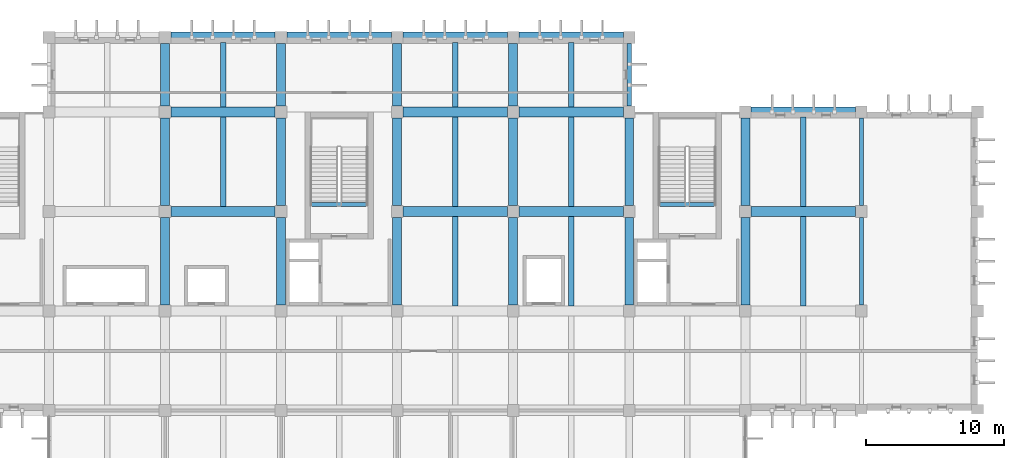
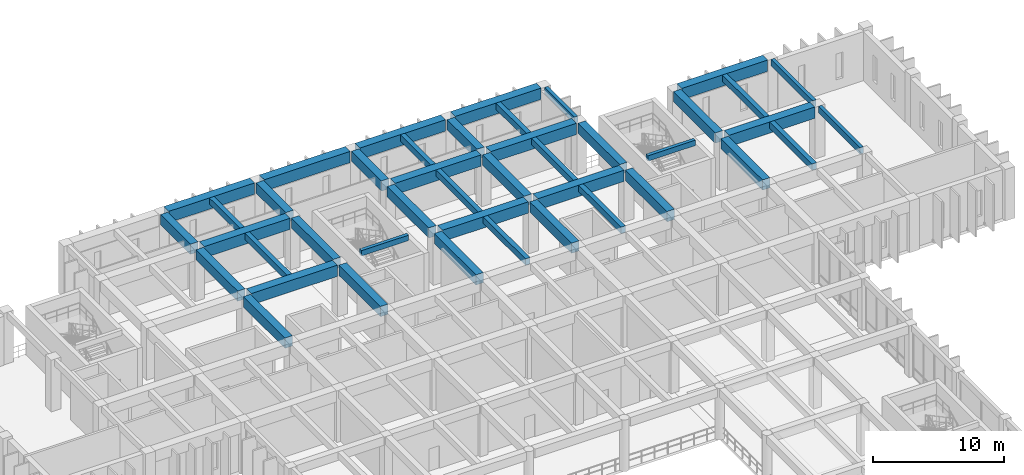
# One storey, part 22 of 51: 43 beams.
"""IFC4 building model written with IfcOpenShell, lengths in metres."""

from ifc_helpers import new_model, si_unit, direction, frame, origin, origin_2d, place, context, subcontext, project, spatial, rectangle, extrude, material, material_profile, profile_set, type_object, element, save


model = new_model("IFC4")

# Units and contexts
model_context = context("Model", 3, precision=1e-05, world=origin(), true_north=direction((0.0, 1.0)))
body_context = subcontext(model_context, "Body", "Model", "MODEL_VIEW")
ifc_project = project(units=[si_unit("LENGTHUNIT", "METRE"), si_unit("AREAUNIT", "SQUARE_METRE"), si_unit("VOLUMEUNIT", "CUBIC_METRE"), si_unit("PLANEANGLEUNIT", "RADIAN"), si_unit("MASSUNIT", "GRAM", prefix="KILO")], contexts=[model_context])

# Site, building, storey
site_placement = place(None, origin())
site = spatial("IfcSite", under=ifc_project, at=site_placement, CompositionType="ELEMENT")
building_placement = place(site_placement, origin())
building = spatial("IfcBuilding", under=site, at=building_placement, Name="Kenerak Square Central Library", CompositionType="ELEMENT")
storey_placement = place(building_placement, frame((0.0, 0.0, 9.60009765625)))
storey = spatial("IfcBuildingStorey", under=building, at=storey_placement, Name="L02", CompositionType="ELEMENT", Elevation=9.60009765625)

# Beams
ifc_material_1 = material(Name="Concrete C45/55", Category="concrete")
ifc_material_profile_1 = material_profile(ifc_material_1, rectangle(XDim=0.64990234375, YDim=0.949951171875, at=origin_2d()), Name="RC 650x950")
ifc_profile_set_1 = profile_set([ifc_material_profile_1], Name="Concrete C45/55")
beam_type_1 = type_object("IfcBeamType", Name="Book Stack Girder B-02 RC 650x950 C45/55", PredefinedType="BEAM", material=ifc_profile_set_1)
beam_1_placement = place(storey_placement, frame((75.199951171875, 96.425048828125, 4.324951171875), z_axis=(0.0, 1.0, 0.0), x_axis=(-1.0, 0.0, 0.0)))
element("IfcBeam", 1, at=beam_1_placement, inside=storey, type_object=beam_type_1, Name="Beam B-02 L02 1304", PredefinedType="BEAM", context=body_context, shape_type="SweptSolid", body=[
    extrude(rectangle(XDim=0.64990234375, YDim=0.949951171875, at=origin_2d()), origin(), (0.0, 0.0, 1.0), 6.349853515625),
])
beam_2_placement = place(storey_placement, frame((75.199951171875, 103.625, 4.324951171875), z_axis=(0.0, 1.0, 0.0), x_axis=(-1.0, 0.0, 0.0)))
element("IfcBeam", 2, at=beam_2_placement, inside=storey, type_object=beam_type_1, Name="Beam B-02 L02 1305", PredefinedType="BEAM", context=body_context, shape_type="SweptSolid", body=[
    extrude(rectangle(XDim=0.64990234375, YDim=0.949951171875, at=origin_2d()), origin(), (0.0, 0.0, 1.0), 6.35009765625),
])
beam_3_placement = place(storey_placement, frame((75.199951171875, 110.824951171875, 4.324951171875), z_axis=(0.0, 1.0, 0.0), x_axis=(-1.0, 0.0, 0.0)))
element("IfcBeam", 3, at=beam_3_placement, inside=storey, type_object=beam_type_1, Name="Beam B-02 L02 1306", PredefinedType="BEAM", context=body_context, shape_type="SweptSolid", body=[
    extrude(rectangle(XDim=0.64990234375, YDim=0.949951171875, at=origin_2d()), origin(), (0.0, 0.0, 1.0), 4.550048828125),
])
beam_4_placement = place(storey_placement, frame((83.60009765625, 96.425048828125, 4.324951171875), z_axis=(0.0, 1.0, 0.0), x_axis=(-1.0, 0.0, 0.0)))
element("IfcBeam", 4, at=beam_4_placement, inside=storey, type_object=beam_type_1, Name="Beam B-02 L02 1312", PredefinedType="BEAM", context=body_context, shape_type="SweptSolid", body=[
    extrude(rectangle(XDim=0.64990234375, YDim=0.949951171875, at=origin_2d()), origin(), (0.0, 0.0, 1.0), 6.349853515625),
])
beam_5_placement = place(storey_placement, frame((83.60009765625, 103.625, 4.324951171875), z_axis=(0.0, 1.0, 0.0), x_axis=(-1.0, 0.0, 0.0)))
element("IfcBeam", 5, at=beam_5_placement, inside=storey, type_object=beam_type_1, Name="Beam B-02 L02 1313", PredefinedType="BEAM", context=body_context, shape_type="SweptSolid", body=[
    extrude(rectangle(XDim=0.64990234375, YDim=0.949951171875, at=origin_2d()), origin(), (0.0, 0.0, 1.0), 6.35009765625),
])
beam_6_placement = place(storey_placement, frame((83.60009765625, 110.824951171875, 4.324951171875), z_axis=(0.0, 1.0, 0.0), x_axis=(-1.0, 0.0, 0.0)))
element("IfcBeam", 6, at=beam_6_placement, inside=storey, type_object=beam_type_1, Name="Beam B-02 L02 1314", PredefinedType="BEAM", context=body_context, shape_type="SweptSolid", body=[
    extrude(rectangle(XDim=0.64990234375, YDim=0.949951171875, at=origin_2d()), origin(), (0.0, 0.0, 1.0), 4.550048828125),
])
beam_7_placement = place(storey_placement, frame((92.0, 96.425048828125, 4.324951171875), z_axis=(0.0, 1.0, 0.0), x_axis=(-1.0, 0.0, 0.0)))
element("IfcBeam", 7, at=beam_7_placement, inside=storey, type_object=beam_type_1, Name="Beam B-02 L02 1320", PredefinedType="BEAM", context=body_context, shape_type="SweptSolid", body=[
    extrude(rectangle(XDim=0.64990234375, YDim=0.949951171875, at=origin_2d()), origin(), (0.0, 0.0, 1.0), 6.349853515625),
])
beam_8_placement = place(storey_placement, frame((92.0, 103.625, 4.324951171875), z_axis=(0.0, 1.0, 0.0), x_axis=(-1.0, 0.0, 0.0)))
element("IfcBeam", 8, at=beam_8_placement, inside=storey, type_object=beam_type_1, Name="Beam B-02 L02 1321", PredefinedType="BEAM", context=body_context, shape_type="SweptSolid", body=[
    extrude(rectangle(XDim=0.64990234375, YDim=0.949951171875, at=origin_2d()), origin(), (0.0, 0.0, 1.0), 6.35009765625),
])
beam_9_placement = place(storey_placement, frame((92.0, 110.824951171875, 4.324951171875), z_axis=(0.0, 1.0, 0.0), x_axis=(-1.0, 0.0, 0.0)))
element("IfcBeam", 9, at=beam_9_placement, inside=storey, type_object=beam_type_1, Name="Beam B-02 L02 1322", PredefinedType="BEAM", context=body_context, shape_type="SweptSolid", body=[
    extrude(rectangle(XDim=0.64990234375, YDim=0.949951171875, at=origin_2d()), origin(), (0.0, 0.0, 1.0), 4.550048828125),
])
beam_10_placement = place(storey_placement, frame((100.39990234375, 96.425048828125, 4.324951171875), z_axis=(0.0, 1.0, 0.0), x_axis=(-1.0, 0.0, 0.0)))
element("IfcBeam", 10, at=beam_10_placement, inside=storey, type_object=beam_type_1, Name="Beam B-02 L02 1330", PredefinedType="BEAM", context=body_context, shape_type="SweptSolid", body=[
    extrude(rectangle(XDim=0.64990234375, YDim=0.949951171875, at=origin_2d()), origin(), (0.0, 0.0, 1.0), 6.349853515625),
])
beam_11_placement = place(storey_placement, frame((100.39990234375, 103.625, 4.324951171875), z_axis=(0.0, 1.0, 0.0), x_axis=(-1.0, 0.0, 0.0)))
element("IfcBeam", 11, at=beam_11_placement, inside=storey, type_object=beam_type_1, Name="Beam B-02 L02 1331", PredefinedType="BEAM", context=body_context, shape_type="SweptSolid", body=[
    extrude(rectangle(XDim=0.64990234375, YDim=0.949951171875, at=origin_2d()), origin(), (0.0, 0.0, 1.0), 6.35009765625),
])
beam_12_placement = place(storey_placement, frame((100.39990234375, 110.824951171875, 4.324951171875), z_axis=(0.0, 1.0, 0.0), x_axis=(-1.0, 0.0, 0.0)))
element("IfcBeam", 12, at=beam_12_placement, inside=storey, type_object=beam_type_1, Name="Beam B-02 L02 1332", PredefinedType="BEAM", context=body_context, shape_type="SweptSolid", body=[
    extrude(rectangle(XDim=0.64990234375, YDim=0.949951171875, at=origin_2d()), origin(), (0.0, 0.0, 1.0), 4.550048828125),
])
beam_13_placement = place(storey_placement, frame((108.800048828125, 96.425048828125, 4.324951171875), z_axis=(0.0, 1.0, 0.0), x_axis=(-1.0, 0.0, 0.0)))
element("IfcBeam", 13, at=beam_13_placement, inside=storey, type_object=beam_type_1, Name="Beam B-02 L02 1340", PredefinedType="BEAM", context=body_context, shape_type="SweptSolid", body=[
    extrude(rectangle(XDim=0.64990234375, YDim=0.949951171875, at=origin_2d()), origin(), (0.0, 0.0, 1.0), 6.349853515625),
])
beam_14_placement = place(storey_placement, frame((108.800048828125, 103.625, 4.324951171875), z_axis=(0.0, 1.0, 0.0), x_axis=(-1.0, 0.0, 0.0)))
element("IfcBeam", 14, at=beam_14_placement, inside=storey, type_object=beam_type_1, Name="Beam B-02 L02 1341", PredefinedType="BEAM", context=body_context, shape_type="SweptSolid", body=[
    extrude(rectangle(XDim=0.64990234375, YDim=0.949951171875, at=origin_2d()), origin(), (0.0, 0.0, 1.0), 6.35009765625),
])
beam_15_placement = place(storey_placement, frame((117.199951171875, 96.425048828125, 4.324951171875), z_axis=(0.0, 1.0, 0.0), x_axis=(-1.0, 0.0, 0.0)))
element("IfcBeam", 15, at=beam_15_placement, inside=storey, type_object=beam_type_1, Name="Beam B-02 L02 1354", PredefinedType="BEAM", context=body_context, shape_type="SweptSolid", body=[
    extrude(rectangle(XDim=0.64990234375, YDim=0.949951171875, at=origin_2d()), origin(), (0.0, 0.0, 1.0), 6.349853515625),
])
beam_16_placement = place(storey_placement, frame((117.199951171875, 103.625, 4.324951171875), z_axis=(0.0, 1.0, 0.0), x_axis=(-1.0, 0.0, 0.0)))
element("IfcBeam", 16, at=beam_16_placement, inside=storey, type_object=beam_type_1, Name="Beam B-02 L02 1355", PredefinedType="BEAM", context=body_context, shape_type="SweptSolid", body=[
    extrude(rectangle(XDim=0.64990234375, YDim=0.949951171875, at=origin_2d()), origin(), (0.0, 0.0, 1.0), 6.35009765625),
])
ifc_material_profile_2 = material_profile(ifc_material_1, rectangle(XDim=0.75, YDim=1.050048828125, at=origin_2d()), Name="RC 750x1050")
ifc_profile_set_2 = profile_set([ifc_material_profile_2], Name="Concrete C45/55")
beam_type_2 = type_object("IfcBeamType", Name="Compact Stack Girder B-01 RC 750x1050 C45/55", PredefinedType="BEAM", material=ifc_profile_set_2)
for number, where, z_axis, x_axis, name in (
    (17, (75.625, 103.199951171875, 4.27490234375), (1.0, 0.0, 0.0), (0.0, 1.0, 0.0), "Beam B-01 L02 1259"),
    (18, (92.425048828125, 103.199951171875, 4.27490234375), (1.0, 0.0, 0.0), (0.0, 1.0, 0.0), "Beam B-01 L02 1260"),
    (19, (100.824951171875, 103.199951171875, 4.27490234375), (1.0, 0.0, 0.0), (0.0, 1.0, 0.0), "Beam B-01 L02 1261"),
    (20, (117.625, 103.199951171875, 4.27490234375), (1.0, 0.0, 0.0), (0.0, 1.0, 0.0), "Beam B-01 L02 1262"),
    (21, (75.625, 110.39990234375, 4.27490234375), (1.0, 0.0, 0.0), (0.0, 1.0, 0.0), "Beam B-01 L02 1264"),
    (22, (92.425048828125, 110.39990234375, 4.27490234375), (1.0, 0.0, 0.0), (0.0, 1.0, 0.0), "Beam B-01 L02 1265"),
    (23, (100.824951171875, 110.39990234375, 4.27490234375), (1.0, 0.0, 0.0), (0.0, 1.0, 0.0), "Beam B-01 L02 1266"),
    (24, (117.625, 110.39990234375, 4.27490234375), (1.0, 0.0, 0.0), (0.0, 1.0, 0.0), "Beam B-01 L02 1267"),
    (25, (75.625, 115.800048828125, 4.27490234375), (1.0, 0.0, 0.0), (0.0, 1.0, 0.0), "Beam B-01 L02 1269"),
    (26, (84.02490234375, 115.800048828125, 4.27490234375), (1.0, 0.0, 0.0), (0.0, 1.0, 0.0), "Beam B-01 L02 1270"),
    (27, (92.425048828125, 115.800048828125, 4.27490234375), (1.0, 0.0, 0.0), (0.0, 1.0, 0.0), "Beam B-01 L02 1271"),
    (28, (100.824951171875, 115.800048828125, 4.27490234375), (1.0, 0.0, 0.0), (0.0, 1.0, 0.0), "Beam B-01 L02 1272"),
):
    element("IfcBeam", number, at=place(storey_placement, frame(where, z_axis=z_axis, x_axis=x_axis)), inside=storey, type_object=beam_type_2, Name=name, PredefinedType="BEAM", context=body_context, shape_type="SweptSolid", body=[
        extrude(rectangle(XDim=0.75, YDim=1.050048828125, at=origin_2d()), origin(), (0.0, 0.0, 1.0), 7.550048828125),
    ])
ifc_material_2 = material(Name="Concrete C40/50", Category="concrete")
ifc_material_profile_3 = material_profile(ifc_material_2, rectangle(XDim=0.300048828125, YDim=0.60009765625, at=origin_2d()), Name="RC 300x600")
ifc_profile_set_3 = profile_set([ifc_material_profile_3], Name="Concrete C40/50")
beam_type_3 = type_object("IfcBeamType", Name="Courtyard Spandrel Beam SP-02 RC 300x600 C40/50", PredefinedType="SPANDREL", material=ifc_profile_set_3)
beam_17_placement = place(storey_placement, frame((108.800048828125, 110.824951171875, 4.5), z_axis=(0.0, 1.0, 0.0), x_axis=(-1.0, 0.0, 0.0)))
element("IfcBeam", 29, at=beam_17_placement, inside=storey, type_object=beam_type_3, Name="Beam SP-02 L02 1342", PredefinedType="SPANDREL", context=body_context, shape_type="SweptSolid", body=[
    extrude(rectangle(XDim=0.300048828125, YDim=0.60009765625, at=origin_2d()), origin(), (0.0, 0.0, 1.0), 4.550048828125),
])
beam_18_placement = place(storey_placement, frame((125.60009765625, 96.425048828125, 4.5), z_axis=(0.0, 1.0, 0.0), x_axis=(-1.0, 0.0, 0.0)))
element("IfcBeam", 30, at=beam_18_placement, inside=storey, type_object=beam_type_3, Name="Beam SP-02 L02 1360", PredefinedType="SPANDREL", context=body_context, shape_type="SweptSolid", body=[
    extrude(rectangle(XDim=0.300048828125, YDim=0.60009765625, at=origin_2d()), origin(), (0.0, 0.0, 1.0), 6.349853515625),
])
beam_19_placement = place(storey_placement, frame((125.60009765625, 103.625, 4.5), z_axis=(0.0, 1.0, 0.0), x_axis=(-1.0, 0.0, 0.0)))
element("IfcBeam", 31, at=beam_19_placement, inside=storey, type_object=beam_type_3, Name="Beam SP-02 L02 1361", PredefinedType="SPANDREL", context=body_context, shape_type="SweptSolid", body=[
    extrude(rectangle(XDim=0.300048828125, YDim=0.60009765625, at=origin_2d()), origin(), (0.0, 0.0, 1.0), 6.35009765625),
])
ifc_material_profile_4 = material_profile(ifc_material_2, rectangle(XDim=0.300048828125, YDim=0.5, at=origin_2d()), Name="RC 300x500")
ifc_profile_set_4 = profile_set([ifc_material_profile_4], Name="Concrete C40/50")
beam_type_4 = type_object("IfcBeamType", Name="Landing Support Beam B-08 RC 300x500 C40/50", PredefinedType="BEAM", material=ifc_profile_set_4)
beam_20_placement = place(storey_placement, frame((85.719970703125, 103.7099609375, 4.5498046875), z_axis=(1.0, 0.0, 0.0), x_axis=(0.0, 1.0, 0.0)))
element("IfcBeam", 32, at=beam_20_placement, inside=storey, type_object=beam_type_4, Name="Stair Threshold Beam B-08 ST-02 L03", PredefinedType="BEAM", context=body_context, shape_type="SweptSolid", body=[
    extrude(rectangle(XDim=0.300048828125, YDim=0.5, at=origin_2d()), origin(), (0.0, 0.0, 1.0), 4.159912109375),
])
beam_21_placement = place(storey_placement, frame((110.919921875, 103.7099609375, 4.5498046875), z_axis=(1.0, 0.0, 0.0), x_axis=(0.0, 1.0, 0.0)))
element("IfcBeam", 33, at=beam_21_placement, inside=storey, type_object=beam_type_4, Name="Stair Threshold Beam B-08 ST-03 L03", PredefinedType="BEAM", context=body_context, shape_type="SweptSolid", body=[
    extrude(rectangle(XDim=0.300048828125, YDim=0.5, at=origin_2d()), origin(), (0.0, 0.0, 1.0), 4.16015625),
])
ifc_material_profile_5 = material_profile(ifc_material_2, rectangle(XDim=0.39990234375, YDim=0.60009765625, at=origin_2d()), Name="RC 400x600")
ifc_profile_set_5 = profile_set([ifc_material_profile_5], Name="Concrete C40/50")
beam_type_5 = type_object("IfcBeamType", Name="Secondary Floor Joist J-01 RC 400x600 C40/50", PredefinedType="JOIST", material=ifc_profile_set_5)
beam_22_placement = place(storey_placement, frame((79.39990234375, 103.574951171875, 4.5), z_axis=(0.0, 1.0, 0.0), x_axis=(-1.0, 0.0, 0.0)))
element("IfcBeam", 34, at=beam_22_placement, inside=storey, type_object=beam_type_5, Name="Joist J-01 L02 1384", PredefinedType="JOIST", context=body_context, shape_type="SweptSolid", body=[
    extrude(rectangle(XDim=0.39990234375, YDim=0.60009765625, at=origin_2d()), origin(), (0.0, 0.0, 1.0), 6.449951171875),
])
beam_23_placement = place(storey_placement, frame((79.39990234375, 110.77490234375, 4.5), z_axis=(0.0, 1.0, 0.0), x_axis=(-1.0, 0.0, 0.0)))
element("IfcBeam", 35, at=beam_23_placement, inside=storey, type_object=beam_type_5, Name="Joist J-01 L02 1385", PredefinedType="JOIST", context=body_context, shape_type="SweptSolid", body=[
    extrude(rectangle(XDim=0.39990234375, YDim=0.60009765625, at=origin_2d()), origin(), (0.0, 0.0, 1.0), 4.650146484375),
])
for number, where, z_axis, x_axis, name in (
    (36, (96.199951171875, 96.375, 4.5), (0.0, 1.0, 0.0), (-1.0, 0.0, 0.0), "Joist J-01 L02 1396"),
    (37, (96.199951171875, 103.574951171875, 4.5), (0.0, 1.0, 0.0), (-1.0, 0.0, 0.0), "Joist J-01 L02 1397"),
):
    element("IfcBeam", number, at=place(storey_placement, frame(where, z_axis=z_axis, x_axis=x_axis)), inside=storey, type_object=beam_type_5, Name=name, PredefinedType="JOIST", context=body_context, shape_type="SweptSolid", body=[
        extrude(rectangle(XDim=0.39990234375, YDim=0.60009765625, at=origin_2d()), origin(), (0.0, 0.0, 1.0), 6.449951171875),
    ])
beam_24_placement = place(storey_placement, frame((96.199951171875, 110.77490234375, 4.5), z_axis=(0.0, 1.0, 0.0), x_axis=(-1.0, 0.0, 0.0)))
element("IfcBeam", 38, at=beam_24_placement, inside=storey, type_object=beam_type_5, Name="Joist J-01 L02 1398", PredefinedType="JOIST", context=body_context, shape_type="SweptSolid", body=[
    extrude(rectangle(XDim=0.39990234375, YDim=0.60009765625, at=origin_2d()), origin(), (0.0, 0.0, 1.0), 4.650146484375),
])
for number, where, z_axis, x_axis, name in (
    (39, (104.60009765625, 96.375, 4.5), (0.0, 1.0, 0.0), (-1.0, 0.0, 0.0), "Joist J-01 L02 1406"),
    (40, (104.60009765625, 103.574951171875, 4.5), (0.0, 1.0, 0.0), (-1.0, 0.0, 0.0), "Joist J-01 L02 1407"),
):
    element("IfcBeam", number, at=place(storey_placement, frame(where, z_axis=z_axis, x_axis=x_axis)), inside=storey, type_object=beam_type_5, Name=name, PredefinedType="JOIST", context=body_context, shape_type="SweptSolid", body=[
        extrude(rectangle(XDim=0.39990234375, YDim=0.60009765625, at=origin_2d()), origin(), (0.0, 0.0, 1.0), 6.449951171875),
    ])
beam_25_placement = place(storey_placement, frame((104.60009765625, 110.77490234375, 4.5), z_axis=(0.0, 1.0, 0.0), x_axis=(-1.0, 0.0, 0.0)))
element("IfcBeam", 41, at=beam_25_placement, inside=storey, type_object=beam_type_5, Name="Joist J-01 L02 1408", PredefinedType="JOIST", context=body_context, shape_type="SweptSolid", body=[
    extrude(rectangle(XDim=0.39990234375, YDim=0.60009765625, at=origin_2d()), origin(), (0.0, 0.0, 1.0), 4.650146484375),
])
for number, where, z_axis, x_axis, name in (
    (42, (121.39990234375, 96.375, 4.5), (0.0, 1.0, 0.0), (-1.0, 0.0, 0.0), "Joist J-01 L02 1417"),
    (43, (121.39990234375, 103.574951171875, 4.5), (0.0, 1.0, 0.0), (-1.0, 0.0, 0.0), "Joist J-01 L02 1418"),
):
    element("IfcBeam", number, at=place(storey_placement, frame(where, z_axis=z_axis, x_axis=x_axis)), inside=storey, type_object=beam_type_5, Name=name, PredefinedType="JOIST", context=body_context, shape_type="SweptSolid", body=[
        extrude(rectangle(XDim=0.39990234375, YDim=0.60009765625, at=origin_2d()), origin(), (0.0, 0.0, 1.0), 6.449951171875),
    ])

save(model, "model.ifc")
